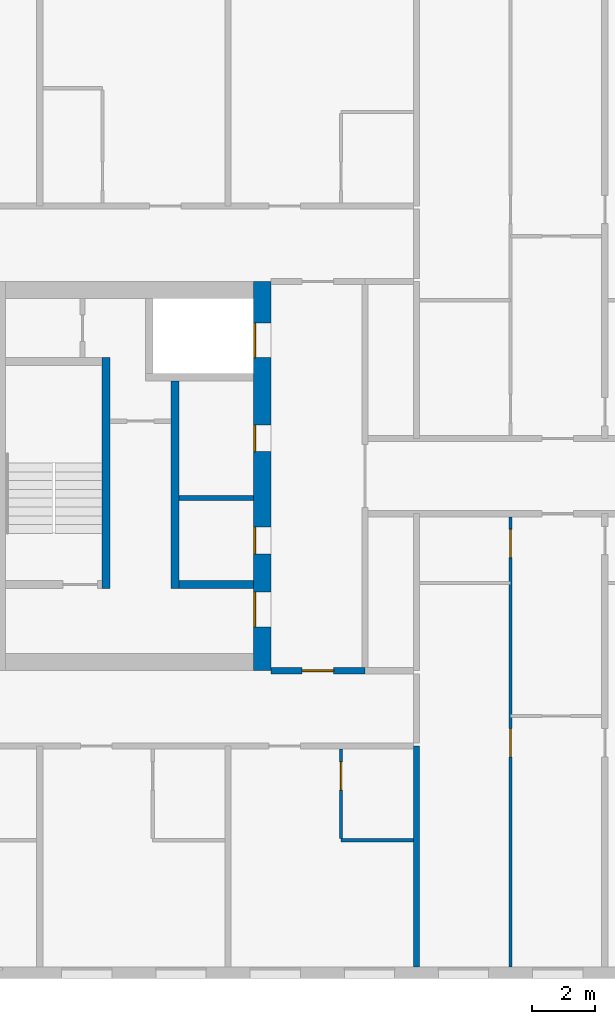
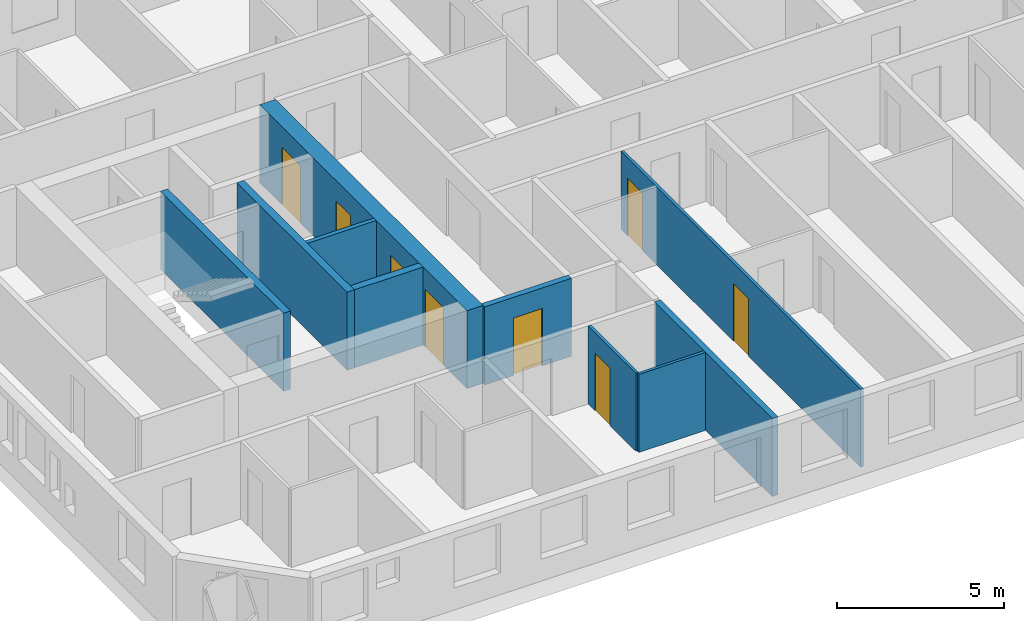
# One storey, part 3 of 17: 10 walls, 8 doors, 8 openings.
"""IFC4 building model written with IfcOpenShell, lengths in metres."""

from ifc_helpers import new_model, si_unit, direction, frame, frame_2d, origin, place, context, subcontext, project, spatial, rectangle, extrude, material, layer, layer_set, type_object, element, fill, save


model = new_model("IFC4")

# Units and contexts
model_context = context("Model", 3, precision=1e-05, world=origin(), true_north=direction((0.0, 1.0)))
body_context = subcontext(model_context, "Body", "Model", "MODEL_VIEW")
ifc_project = project(units=[si_unit("LENGTHUNIT", "METRE"), si_unit("AREAUNIT", "SQUARE_METRE"), si_unit("VOLUMEUNIT", "CUBIC_METRE"), si_unit("PLANEANGLEUNIT", "RADIAN"), si_unit("MASSUNIT", "GRAM", prefix="KILO")], contexts=[model_context])

# Site, building, storey
site_placement = place(None, origin())
site = spatial("IfcSite", under=ifc_project, at=site_placement, CompositionType="ELEMENT")
building_placement = place(site_placement, origin())
building = spatial("IfcBuilding", under=site, at=building_placement, Name="Tuart Gate Housing", CompositionType="ELEMENT")
storey_placement = place(building_placement, frame((0.0, 0.0, 123.699951171875)))
storey = spatial("IfcBuildingStorey", under=building, at=storey_placement, Name="L34", CompositionType="ELEMENT", Elevation=123.699951171875)

# Walls
ifc_material_1 = material(Name="Plasterboard partition")
ifc_layer_1 = layer(ifc_material_1, 0.14990234375)
ifc_layer_set_1 = layer_set([ifc_layer_1], Name="Core partition 150")
wall_type_1 = type_object("IfcWallType", Name="Core partition 150", PredefinedType="PARTITIONING", material=ifc_layer_set_1)
wall_1_placement = place(storey_placement, frame((40.81005859375, 69.300048828125, 0.0), z_axis=(0.0, 0.0, 1.0), x_axis=(-1.0, 0.0, 0.0)))
element("IfcWall", 1, at=wall_1_placement, inside=storey, type_object=wall_type_1, Name="Core partition AK.4", PredefinedType="PARTITIONING", context=body_context, shape_type="SweptSolid", body=[
    extrude(rectangle(XDim=2.375, YDim=0.14990234375, at=frame_2d((1.1875, 0.0))), origin(), (0.0, 0.0, 1.0), 2.85009765625),
])
ifc_material_2 = material(Name="Concrete C50", Category="concrete")
ifc_layer_2 = layer(ifc_material_2, 0.25)
ifc_layer_set_2 = layer_set([ifc_layer_2], Name="Core wall 250 C50")
wall_type_2 = type_object("IfcWallType", Name="Core wall 250 C50", PredefinedType="SHEAR", material=ifc_layer_set_2)
wall_2_placement = place(storey_placement, frame((40.81005859375, 66.550048828125, 0.0), z_axis=(0.0, 0.0, 1.0), x_axis=(-1.0, 0.0, 0.0)))
element("IfcWall", 2, at=wall_2_placement, inside=storey, type_object=wall_type_2, Name="Core wall AK.5", PredefinedType="SHEAR", context=body_context, shape_type="SweptSolid", body=[
    extrude(rectangle(XDim=2.375, YDim=0.25, at=frame_2d((1.1875, 0.0))), origin(), (0.0, 0.0, 1.0), 2.85009765625),
])
wall_3_placement = place(storey_placement, frame((38.31005859375, 73.02490234375, 0.0), z_axis=(0.0, 0.0, 1.0), x_axis=(0.0, -1.0, 0.0)))
element("IfcWall", 3, at=wall_3_placement, inside=storey, type_object=wall_type_2, Name="Core wall AK.7", PredefinedType="SHEAR", context=body_context, shape_type="SweptSolid", body=[
    extrude(rectangle(XDim=6.599853515625, YDim=0.25, at=frame_2d((3.2998046875, 0.0))), origin(), (0.0, 0.0, 1.0), 2.85009765625),
])
wall_4_placement = place(storey_placement, frame((36.110107421875, 73.77490234375, 0.0), z_axis=(0.0, 0.0, 1.0), x_axis=(0.0, -1.0, 0.0)))
element("IfcWall", 4, at=wall_4_placement, inside=storey, type_object=wall_type_2, Name="Core wall AK.9", PredefinedType="SHEAR", context=body_context, shape_type="SweptSolid", body=[
    extrude(rectangle(XDim=7.349853515625, YDim=0.25, at=frame_2d((3.6748046875, 0.0))), origin(), (0.0, 0.0, 1.0), 2.85009765625),
])

# Wall, openings, doors
ifc_material_3 = material(Name="Concrete C50", Category="concrete")
ifc_layer_3 = layer(ifc_material_3, 0.550048828125)
ifc_layer_set_3 = layer_set([ifc_layer_3], Name="Core wall 550 C50")
wall_type_3 = type_object("IfcWallType", Name="Core wall 550 C50", PredefinedType="SHEAR", material=ifc_layer_set_3)
wall_5_placement = place(storey_placement, frame((41.0849609375, 76.199951171875, 0.0), z_axis=(0.0, 0.0, 1.0), x_axis=(0.0, -1.0, 0.0)))
wall_5 = element("IfcWall", 5, at=wall_5_placement, inside=storey, type_object=wall_type_3, Name="Core wall AK front", PredefinedType="SHEAR", context=body_context, shape_type="SweptSolid", body=[
    extrude(rectangle(XDim=12.39990234375, YDim=0.550048828125, at=frame_2d((6.199951171875, 0.0))), origin(), (0.0, 0.0, 1.0), 2.85009765625),
])
opening_1_placement = place(wall_5_placement, frame((1.324951171875, 0.0, 0.0)))
opening_1 = element("IfcOpeningElement", 6, at=opening_1_placement, cuts=wall_5, Name="Opening LD-FA2", PredefinedType="OPENING", context=body_context, shape_type="SweptSolid", body=[
    extrude(rectangle(XDim=1.10009765625, YDim=2.10009765625, at=frame_2d((0.550048828125, 1.050048828125))), frame((0.0, 0.284912109375, 0.0), z_axis=(0.0, -1.0, 0.0), x_axis=(1.0, 0.0, 0.0)), (0.0, 0.0, 1.0), 0.570068359375),
])
opening_2_placement = place(wall_5_placement, frame((4.574951171875, 0.0, 0.0)))
opening_2 = element("IfcOpeningElement", 7, at=opening_2_placement, cuts=wall_5, Name="Opening D1320", PredefinedType="OPENING", context=body_context, shape_type="SweptSolid", body=[
    extrude(rectangle(XDim=0.85009765625, YDim=2.10009765625, at=frame_2d((0.425048828125, 1.050048828125))), frame((0.0, 0.284912109375, 0.0), z_axis=(0.0, -1.0, 0.0), x_axis=(1.0, 0.0, 0.0)), (0.0, 0.0, 1.0), 0.570068359375),
])
opening_3_placement = place(wall_5_placement, frame((7.824951171875, 0.0, 0.0)))
opening_3 = element("IfcOpeningElement", 8, at=opening_3_placement, cuts=wall_5, Name="Opening D1321", PredefinedType="OPENING", context=body_context, shape_type="SweptSolid", body=[
    extrude(rectangle(XDim=0.85009765625, YDim=2.10009765625, at=frame_2d((0.425048828125, 1.050048828125))), frame((0.0, 0.284912109375, 0.0), z_axis=(0.0, -1.0, 0.0), x_axis=(1.0, 0.0, 0.0)), (0.0, 0.0, 1.0), 0.570068359375),
])
opening_4_placement = place(wall_5_placement, frame((9.89990234375, 0.0, 0.0)))
opening_4 = element("IfcOpeningElement", 9, at=opening_4_placement, cuts=wall_5, Name="Opening D1319", PredefinedType="OPENING", context=body_context, shape_type="SweptSolid", body=[
    extrude(rectangle(XDim=1.10009765625, YDim=2.10009765625, at=frame_2d((0.550048828125, 1.050048828125))), frame((0.0, 0.284912109375, 0.0), z_axis=(0.0, -1.0, 0.0), x_axis=(1.0, 0.0, 0.0)), (0.0, 0.0, 1.0), 0.570068359375),
])
ifc_material_4 = material(Name="Stainless steel", Category="steel")
door_type_1 = type_object("IfcDoorType", Name="Landing door 1100 x 2100", OperationType="DOUBLE_DOOR_SLIDING", PredefinedType="DOOR", material=ifc_material_4)
door_1_placement = place(opening_1_placement, origin())
door_1 = element("IfcDoor", 10, at=door_1_placement, inside=storey, type_object=door_type_1, Name="Lift landing door FA2", OperationType="DOUBLE_DOOR_SLIDING", OverallHeight=2.10009765625, OverallWidth=1.10009765625, PredefinedType="DOOR", context=body_context, shape_type="SweptSolid", body=[
    extrude(rectangle(XDim=1.10009765625, YDim=2.10009765625, at=frame_2d((0.550048828125, 1.050048828125))), frame((0.0, -0.2099609375, 0.0), z_axis=(0.0, -1.0, 0.0), x_axis=(1.0, 0.0, 0.0)), (0.0, 0.0, 1.0), 0.050048828125),
])
fill(opening_1, door_1)
ifc_material_5 = material(Name="Steel fire door", Category="steel")
door_type_2 = type_object("IfcDoorType", Name="Lobby door 1100 x 2100 RH", OperationType="SINGLE_SWING_RIGHT", PredefinedType="DOOR", material=ifc_material_5)
door_2_placement = place(opening_4_placement, frame((1.10009765625, 0.0, 0.0), z_axis=(0.0, 0.0, 1.0), x_axis=(-1.0, 0.0, 0.0)))
door_2 = element("IfcDoor", 11, at=door_2_placement, inside=storey, type_object=door_type_2, Name="Lobby entry door AK.EN", OperationType="SINGLE_SWING_RIGHT", OverallHeight=2.10009765625, OverallWidth=1.10009765625, PredefinedType="DOOR", context=body_context, shape_type="SweptSolid", body=[
    extrude(rectangle(XDim=1.10009765625, YDim=2.10009765625, at=frame_2d((0.550048828125, 1.050048828125))), frame((0.0, 0.260009765625, 0.0), z_axis=(0.0, -1.0, 0.0), x_axis=(1.0, 0.0, 0.0)), (0.0, 0.0, 1.0), 0.050048828125),
])
fill(opening_4, door_2)
ifc_material_6 = material(Name="Steel fire door", Category="steel")
door_type_3 = type_object("IfcDoorType", Name="Service door 850 x 2100 RH", OperationType="SINGLE_SWING_RIGHT", PredefinedType="DOOR", material=ifc_material_6)
door_3_placement = place(opening_2_placement, frame((0.85009765625, 0.0, 0.0), z_axis=(0.0, 0.0, 1.0), x_axis=(-1.0, 0.0, 0.0)))
door_3 = element("IfcDoor", 12, at=door_3_placement, inside=storey, type_object=door_type_3, Name="Service room door AK.FR1", OperationType="SINGLE_SWING_RIGHT", OverallHeight=2.10009765625, OverallWidth=0.85009765625, PredefinedType="DOOR", context=body_context, shape_type="SweptSolid", body=[
    extrude(rectangle(XDim=0.85009765625, YDim=2.10009765625, at=frame_2d((0.425048828125, 1.050048828125))), frame((0.0, 0.260009765625, 0.0), z_axis=(0.0, -1.0, 0.0), x_axis=(1.0, 0.0, 0.0)), (0.0, 0.0, 1.0), 0.050048828125),
])
fill(opening_2, door_3)
door_4_placement = place(opening_3_placement, frame((0.85009765625, 0.0, 0.0), z_axis=(0.0, 0.0, 1.0), x_axis=(-1.0, 0.0, 0.0)))
door_4 = element("IfcDoor", 13, at=door_4_placement, inside=storey, type_object=door_type_3, Name="Service room door AK.FR2", OperationType="SINGLE_SWING_RIGHT", OverallHeight=2.10009765625, OverallWidth=0.85009765625, PredefinedType="DOOR", context=body_context, shape_type="SweptSolid", body=[
    extrude(rectangle(XDim=0.85009765625, YDim=2.10009765625, at=frame_2d((0.425048828125, 1.050048828125))), frame((0.0, 0.260009765625, 0.0), z_axis=(0.0, -1.0, 0.0), x_axis=(1.0, 0.0, 0.0)), (0.0, 0.0, 1.0), 0.050048828125),
])
fill(opening_3, door_4)

# Wall, opening, door
ifc_material_7 = material(Name="Concrete masonry 15 MPa", Category="masonry")
ifc_layer_4 = layer(ifc_material_7, 0.199951171875)
ifc_layer_set_4 = layer_set([ifc_layer_4], Name="Enclosure wall masonry 200")
wall_type_4 = type_object("IfcWallType", Name="Enclosure wall masonry 200", PredefinedType="PARTITIONING", material=ifc_layer_set_4)
wall_6_placement = place(storey_placement, frame((41.360107421875, 63.800048828125, 0.0), z_axis=(0.0, 0.0, 1.0), x_axis=(1.0, 0.0, 0.0)))
wall_6 = element("IfcWall", 14, at=wall_6_placement, inside=storey, type_object=wall_type_4, Name="Enclosure wall masonry 200", PredefinedType="PARTITIONING", context=body_context, shape_type="SweptSolid", body=[
    extrude(rectangle(XDim=3.0, YDim=0.199951171875, at=frame_2d((1.5, 0.0))), origin(), (0.0, 0.0, 1.0), 2.85009765625),
])
opening_5_placement = place(wall_6_placement, frame((1.0, 0.0, 0.0)))
opening_5 = element("IfcOpeningElement", 15, at=opening_5_placement, cuts=wall_6, Name="Opening D1329", PredefinedType="OPENING", context=body_context, shape_type="SweptSolid", body=[
    extrude(rectangle(XDim=1.0, YDim=2.10009765625, at=frame_2d((0.5, 1.050048828125))), frame((0.0, 0.10986328125, 0.0), z_axis=(0.0, -1.0, 0.0), x_axis=(1.0, 0.0, 0.0)), (0.0, 0.0, 1.0), 0.219970703125),
])
ifc_material_8 = material(Name="Timber door leaf in steel frame", Category="steel")
door_type_4 = type_object("IfcDoorType", Name="Fire door 1000", OperationType="SINGLE_SWING_LEFT", PredefinedType="DOOR", material=ifc_material_8)
door_5_placement = place(opening_5_placement, frame((1.0, 0.0, 0.0), z_axis=(0.0, 0.0, 1.0), x_axis=(-1.0, 0.0, 0.0)))
door_5 = element("IfcDoor", 16, at=door_5_placement, inside=storey, type_object=door_type_4, Name="Fire door", OperationType="SINGLE_SWING_LEFT", OverallHeight=2.10009765625, OverallWidth=1.0, PredefinedType="DOOR", context=body_context, shape_type="SweptSolid", body=[
    extrude(rectangle(XDim=1.0, YDim=2.10009765625, at=frame_2d((0.5, 1.050048828125))), frame((0.0, 0.025146484375, 0.0), z_axis=(0.0, -1.0, 0.0), x_axis=(1.0, 0.0, 0.0)), (0.0, 0.0, 1.0), 0.050048828125),
])
fill(opening_5, door_5)

# Wall
ifc_material_9 = material(Name="Gypsum board on steel studs", Category="steel")
ifc_layer_5 = layer(ifc_material_9, 0.10009765625)
ifc_layer_set_5 = layer_set([ifc_layer_5], Name="Partition 100")
wall_type_5 = type_object("IfcWallType", Name="Partition 100", PredefinedType="PARTITIONING", material=ifc_layer_set_5)
wall_7_placement = place(storey_placement, frame((43.60009765625, 58.39990234375, 0.0), z_axis=(0.0, 0.0, 1.0), x_axis=(1.0, 0.0, 0.0)))
element("IfcWall", 17, at=wall_7_placement, inside=storey, type_object=wall_type_5, Name="Partition 100", PredefinedType="PARTITIONING", context=body_context, shape_type="SweptSolid", body=[
    extrude(rectangle(XDim=2.2998046875, YDim=0.10009765625, at=frame_2d((1.14990234375, 0.0))), origin(), (0.0, 0.0, 1.0), 2.85009765625),
])

# Wall, opening, door
wall_8_placement = place(storey_placement, frame((43.60009765625, 58.449951171875, 0.0), z_axis=(0.0, 0.0, 1.0), x_axis=(0.0, 1.0, 0.0)))
wall_8 = element("IfcWall", 18, at=wall_8_placement, inside=storey, type_object=wall_type_5, Name="Partition 100", PredefinedType="PARTITIONING", context=body_context, shape_type="SweptSolid", body=[
    extrude(rectangle(XDim=2.85009765625, YDim=0.10009765625, at=frame_2d((1.425048828125, 0.0))), origin(), (0.0, 0.0, 1.0), 2.85009765625),
])
opening_6_placement = place(wall_8_placement, frame((1.550048828125, 0.0, 0.0)))
opening_6 = element("IfcOpeningElement", 19, at=opening_6_placement, cuts=wall_8, Name="Opening D1347", PredefinedType="OPENING", context=body_context, shape_type="SweptSolid", body=[
    extrude(rectangle(XDim=0.89990234375, YDim=2.10009765625, at=frame_2d((0.449951171875, 1.050048828125))), frame((0.0, 0.06005859375, 0.0), z_axis=(0.0, -1.0, 0.0), x_axis=(1.0, 0.0, 0.0)), (0.0, 0.0, 1.0), 0.1201171875),
])
ifc_material_10 = material(Name="Timber door leaf in steel frame", Category="steel")
door_type_5 = type_object("IfcDoorType", Name="Bathroom door 900", OperationType="SINGLE_SWING_LEFT", PredefinedType="DOOR", material=ifc_material_10)
door_6_placement = place(opening_6_placement, frame((0.89990234375, 0.0, 0.0), z_axis=(0.0, 0.0, 1.0), x_axis=(-1.0, 0.0, 0.0)))
door_6 = element("IfcDoor", 20, at=door_6_placement, inside=storey, type_object=door_type_5, Name="Bathroom door", OperationType="SINGLE_SWING_LEFT", OverallHeight=2.10009765625, OverallWidth=0.89990234375, PredefinedType="DOOR", context=body_context, shape_type="SweptSolid", body=[
    extrude(rectangle(XDim=0.89990234375, YDim=2.10009765625, at=frame_2d((0.449951171875, 1.050048828125))), frame((0.0, 0.025146484375, 0.0), z_axis=(0.0, -1.0, 0.0), x_axis=(1.0, 0.0, 0.0)), (0.0, 0.0, 1.0), 0.050048828125),
])
fill(opening_6, door_6)

# Wall, openings, doors
wall_9_placement = place(storey_placement, frame((49.0, 54.360107421875, 0.0), z_axis=(0.0, 0.0, 1.0), x_axis=(0.0, 1.0, 0.0)))
wall_9 = element("IfcWall", 21, at=wall_9_placement, inside=storey, type_object=wall_type_5, Name="Partition 100", PredefinedType="PARTITIONING", context=body_context, shape_type="SweptSolid", body=[
    extrude(rectangle(XDim=14.33984375, YDim=0.10009765625, at=frame_2d((7.169921875, 0.0))), origin(), (0.0, 0.0, 1.0), 2.85009765625),
])
opening_7_placement = place(wall_9_placement, frame((6.699951171875, 0.0, 0.0)))
opening_7 = element("IfcOpeningElement", 22, at=opening_7_placement, cuts=wall_9, Name="Opening D1337", PredefinedType="OPENING", context=body_context, shape_type="SweptSolid", body=[
    extrude(rectangle(XDim=0.89990234375, YDim=2.10009765625, at=frame_2d((0.449951171875, 1.050048828125))), frame((0.0, 0.06005859375, 0.0), z_axis=(0.0, -1.0, 0.0), x_axis=(1.0, 0.0, 0.0)), (0.0, 0.0, 1.0), 0.1201171875),
])
opening_8_placement = place(wall_9_placement, frame((13.0400390625, 0.0, 0.0)))
opening_8 = element("IfcOpeningElement", 23, at=opening_8_placement, cuts=wall_9, Name="Opening D1336", PredefinedType="OPENING", context=body_context, shape_type="SweptSolid", body=[
    extrude(rectangle(XDim=0.89990234375, YDim=2.10009765625, at=frame_2d((0.449951171875, 1.050048828125))), frame((0.0, 0.06005859375, 0.0), z_axis=(0.0, -1.0, 0.0), x_axis=(1.0, 0.0, 0.0)), (0.0, 0.0, 1.0), 0.1201171875),
])
ifc_material_11 = material(Name="Timber door leaf in steel frame", Category="steel")
door_type_6 = type_object("IfcDoorType", Name="Bathroom door 900 RH", OperationType="SINGLE_SWING_RIGHT", PredefinedType="DOOR", material=ifc_material_11)
door_7_placement = place(opening_8_placement, origin())
door_7 = element("IfcDoor", 24, at=door_7_placement, inside=storey, type_object=door_type_6, Name="Bathroom door", OperationType="SINGLE_SWING_RIGHT", OverallHeight=2.10009765625, OverallWidth=0.89990234375, PredefinedType="DOOR", context=body_context, shape_type="SweptSolid", body=[
    extrude(rectangle(XDim=0.89990234375, YDim=2.10009765625, at=frame_2d((0.449951171875, 1.050048828125))), frame((0.0, 0.02490234375, 0.0), z_axis=(0.0, -1.0, 0.0), x_axis=(1.0, 0.0, 0.0)), (0.0, 0.0, 1.0), 0.050048828125),
])
fill(opening_8, door_7)
ifc_material_12 = material(Name="Timber door leaf in steel frame", Category="steel")
door_type_7 = type_object("IfcDoorType", Name="Internal door 900 RH", OperationType="SINGLE_SWING_RIGHT", PredefinedType="DOOR", material=ifc_material_12)
door_8_placement = place(opening_7_placement, origin())
door_8 = element("IfcDoor", 25, at=door_8_placement, inside=storey, type_object=door_type_7, Name="Internal door", OperationType="SINGLE_SWING_RIGHT", OverallHeight=2.10009765625, OverallWidth=0.89990234375, PredefinedType="DOOR", context=body_context, shape_type="SweptSolid", body=[
    extrude(rectangle(XDim=0.89990234375, YDim=2.10009765625, at=frame_2d((0.449951171875, 1.050048828125))), frame((0.0, 0.02490234375, 0.0), z_axis=(0.0, -1.0, 0.0), x_axis=(1.0, 0.0, 0.0)), (0.0, 0.0, 1.0), 0.050048828125),
])
fill(opening_7, door_8)

# Wall
ifc_material_13 = material(Name="Concrete C40", Category="concrete")
ifc_layer_6 = layer(ifc_material_13, 0.199951171875)
ifc_layer_set_6 = layer_set([ifc_layer_6], Name="Party wall concrete C40 200")
wall_type_6 = type_object("IfcWallType", Name="Party wall concrete C40 200", PredefinedType="SOLIDWALL", material=ifc_layer_set_6)
wall_10_placement = place(storey_placement, frame((46.0, 54.360107421875, 0.0), z_axis=(0.0, 0.0, 1.0), x_axis=(0.0, 1.0, 0.0)))
element("IfcWall", 26, at=wall_10_placement, inside=storey, type_object=wall_type_6, Name="Party wall concrete C40 200", PredefinedType="SOLIDWALL", context=body_context, shape_type="SweptSolid", body=[
    extrude(rectangle(XDim=7.039794921875, YDim=0.199951171875, at=frame_2d((3.52001953125, 0.0))), origin(), (0.0, 0.0, 1.0), 2.85009765625),
])

save(model, "model.ifc")
